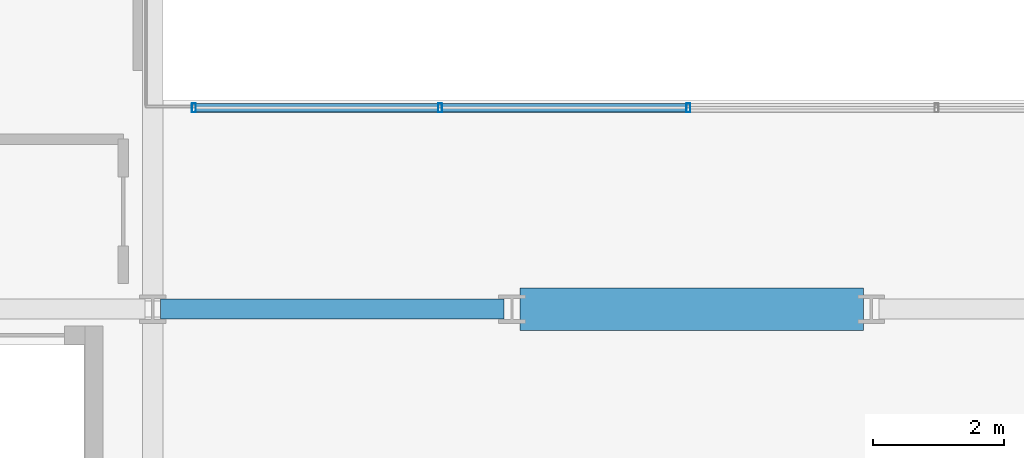
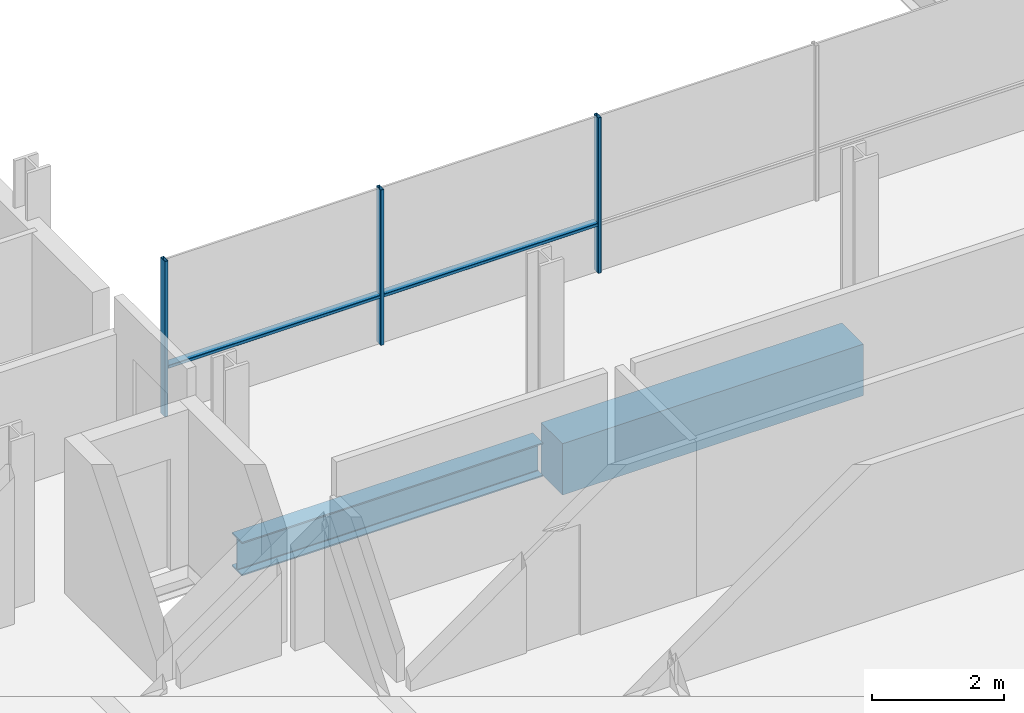
# One storey, part 4 of 38: 5 members, 2 beams, 1 element without a shape of its own.
"""IFC4 building model written with IfcOpenShell, lengths in metres."""

from ifc_helpers import new_model, si_unit, direction, frame, origin, origin_2d, place, context, subcontext, project, spatial, rectangle, hollow_rectangle, i_section, extrude, material, layer, layer_set, material_profile, profile_set, type_object, element, aggregate, save


model = new_model("IFC4")

# Units and contexts
model_context = context("Model", 3, precision=1e-05, world=origin(), true_north=direction((0.0, 1.0)))
body_context = subcontext(model_context, "Body", "Model", "MODEL_VIEW")
ifc_project = project(units=[si_unit("LENGTHUNIT", "METRE"), si_unit("AREAUNIT", "SQUARE_METRE"), si_unit("VOLUMEUNIT", "CUBIC_METRE"), si_unit("PLANEANGLEUNIT", "RADIAN"), si_unit("MASSUNIT", "GRAM", prefix="KILO")], contexts=[model_context])

# Site, building, storey
site_placement = place(None, origin())
site = spatial("IfcSite", under=ifc_project, at=site_placement, CompositionType="ELEMENT")
building_placement = place(site_placement, origin())
building = spatial("IfcBuilding", under=site, at=building_placement, Name="Brevholm Reach", CompositionType="ELEMENT")
storey_placement = place(building_placement, frame((0.0, 0.0, 65.199951171875)))
storey = spatial("IfcBuildingStorey", under=building, at=storey_placement, Name="L18", CompositionType="ELEMENT", Elevation=65.199951171875)

# Beams
ifc_material_1 = material(Name="Concrete C60/75", Category="concrete")
ifc_material_profile_1 = material_profile(ifc_material_1, rectangle(XDim=0.64990234375, YDim=0.949951171875, at=origin_2d()), Name="RC 650x950")
ifc_profile_set_1 = profile_set([ifc_material_profile_1], Name="Concrete C60/75")
beam_type_1 = type_object("IfcBeamType", Name="BM-CB650", PredefinedType="LINTEL", material=ifc_profile_set_1)
beam_1_placement = place(storey_placement, frame((27.3701171875, 10.0, -0.704833984375), z_axis=(1.0, 0.0, 0.0), x_axis=(0.0, 1.0, 0.0)))
element("IfcBeam", 1, at=beam_1_placement, inside=storey, type_object=beam_type_1, Name="L18 CB-01 Framing Beam", PredefinedType="LINTEL", context=body_context, shape_type="SweptSolid", body=[
    extrude(rectangle(XDim=0.64990234375, YDim=0.949951171875, at=origin_2d()), origin(), (0.0, 0.0, 1.0), 5.259765625),
])
ifc_material_2 = material(Name="Structural Steel S355J2", Category="steel")
ifc_material_profile_2 = material_profile(ifc_material_2, i_section(OverallWidth=0.30712890625, OverallDepth=0.6201171875, WebThickness=0.01416015625, FlangeThickness=0.023681640625, FilletRadius=0.0166015625, at=origin_2d()), Name="UKB 610x305x179")
ifc_profile_set_2 = profile_set([ifc_material_profile_2], Name="Structural Steel S355J2")
beam_type_2 = type_object("IfcBeamType", Name="BM-UKB610H", PredefinedType="USERDEFINED", material=ifc_profile_set_2)
beam_2_placement = place(storey_placement, frame((21.8701171875, 10.0, -0.5400390625), z_axis=(1.0, 0.0, 0.0), x_axis=(0.0, 1.0, 0.0)))
element("IfcBeam", 2, at=beam_2_placement, inside=storey, type_object=beam_type_2, Name="L18 G-06 Framing Beam", ObjectType="GIRDER", PredefinedType="USERDEFINED", context=body_context, shape_type="SweptSolid", body=[
    extrude(i_section(OverallWidth=0.30712890625, OverallDepth=0.6201171875, WebThickness=0.01416015625, FlangeThickness=0.023681640625, FilletRadius=0.0166015625, at=origin_2d()), origin(), (0.0, 0.0, 1.0), 5.259765625),
])

# Curtain wall, members
ifc_material_3 = material(Name="Dark Anodised Aluminium 6063-T6 and Solar-Control Glass", Category="aluminium")
ifc_layer = layer(ifc_material_3, 0.139892578125)
ifc_layer_set = layer_set([ifc_layer], Name="Dark Anodised Aluminium 6063-T6 and Solar-Control Glass")
curtain_wall_type = type_object("IfcCurtainWallType", Name="CW-02", PredefinedType="NOTDEFINED", material=ifc_layer_set)
curtain_wall_placement = place(storey_placement, origin())
curtain_wall = element("IfcCurtainWall", 3, at=curtain_wall_placement, inside=storey, type_object=curtain_wall_type, Name="L18 Curtain Wall CW-02", PredefinedType="NOTDEFINED")
ifc_material_4 = material(Name="Dark Anodised Aluminium 6063-T6", Category="aluminium")
ifc_material_profile_3 = material_profile(ifc_material_4, hollow_rectangle(XDim=0.06005859375, YDim=0.139892578125, WallThickness=0.0048828125, InnerFilletRadius=0.0048828125, OuterFilletRadius=0.010009765625, at=origin_2d()), Name="RHS 140x60x5")
ifc_profile_set_3 = profile_set([ifc_material_profile_3], Name="Dark Anodised Aluminium 6063-T6")
member_type_1 = type_object("IfcMemberType", Name="CWM-140", PredefinedType="MULLION", material=ifc_profile_set_3)
member_1_placement = place(storey_placement, frame((22.3798828125, 13.080078125, 0.0), z_axis=(0.0, 0.0, 1.0), x_axis=(1.0, 0.0, 0.0)))
member_1 = element("IfcMember", 4, at=member_1_placement, type_object=member_type_1, Name="CM-140 Mullion 1", PredefinedType="MULLION", context=body_context, shape_type="SweptSolid", body=[
    extrude(hollow_rectangle(XDim=0.06005859375, YDim=0.139892578125, WallThickness=0.0048828125, InnerFilletRadius=0.0048828125, OuterFilletRadius=0.010009765625, at=origin_2d()), origin(), (0.0, 0.0, 1.0), 2.8701171875),
])
member_2_placement = place(storey_placement, frame((26.14990234375, 13.080078125, 0.0), z_axis=(0.0, 0.0, 1.0), x_axis=(1.0, 0.0, 0.0)))
member_2 = element("IfcMember", 5, at=member_2_placement, type_object=member_type_1, Name="CM-140 Mullion 2", PredefinedType="MULLION", context=body_context, shape_type="SweptSolid", body=[
    extrude(hollow_rectangle(XDim=0.06005859375, YDim=0.139892578125, WallThickness=0.0048828125, InnerFilletRadius=0.0048828125, OuterFilletRadius=0.010009765625, at=origin_2d()), origin(), (0.0, 0.0, 1.0), 2.8701171875),
])
member_3_placement = place(storey_placement, frame((29.949951171875, 13.080078125, 0.0), z_axis=(0.0, 0.0, 1.0), x_axis=(1.0, 0.0, 0.0)))
member_3 = element("IfcMember", 6, at=member_3_placement, type_object=member_type_1, Name="CM-140 Mullion 3", PredefinedType="MULLION", context=body_context, shape_type="SweptSolid", body=[
    extrude(hollow_rectangle(XDim=0.06005859375, YDim=0.139892578125, WallThickness=0.0048828125, InnerFilletRadius=0.0048828125, OuterFilletRadius=0.010009765625, at=origin_2d()), origin(), (0.0, 0.0, 1.0), 2.8701171875),
])
ifc_material_5 = material(Name="Dark Anodised Aluminium 6063-T6", Category="aluminium")
ifc_material_profile_4 = material_profile(ifc_material_5, hollow_rectangle(XDim=0.06005859375, YDim=0.139892578125, WallThickness=0.0048828125, InnerFilletRadius=0.0048828125, OuterFilletRadius=0.010009765625, at=origin_2d()), Name="RHS 140x60x5")
ifc_profile_set_4 = profile_set([ifc_material_profile_4], Name="Dark Anodised Aluminium 6063-T6")
member_type_2 = type_object("IfcMemberType", Name="CWT-140", PredefinedType="NOTDEFINED", material=ifc_profile_set_4)
member_4_placement = place(storey_placement, frame((22.409912109375, 13.080078125, 0.900146484375), z_axis=(1.0, 0.0, 0.0), x_axis=(0.0, 0.0, 1.0)))
member_4 = element("IfcMember", 7, at=member_4_placement, type_object=member_type_2, Name="CT-140 Transom 1.1", ObjectType="TRANSOM", PredefinedType="USERDEFINED", context=body_context, shape_type="SweptSolid", body=[
    extrude(hollow_rectangle(XDim=0.06005859375, YDim=0.139892578125, WallThickness=0.0048828125, InnerFilletRadius=0.0048828125, OuterFilletRadius=0.010009765625, at=origin_2d()), origin(), (0.0, 0.0, 1.0), 3.710205078125),
])
member_5_placement = place(storey_placement, frame((26.179931640625, 13.080078125, 0.900146484375), z_axis=(1.0, 0.0, 0.0), x_axis=(0.0, 0.0, 1.0)))
member_5 = element("IfcMember", 8, at=member_5_placement, type_object=member_type_2, Name="CT-140 Transom 2.1", ObjectType="TRANSOM", PredefinedType="USERDEFINED", context=body_context, shape_type="SweptSolid", body=[
    extrude(hollow_rectangle(XDim=0.06005859375, YDim=0.139892578125, WallThickness=0.0048828125, InnerFilletRadius=0.0048828125, OuterFilletRadius=0.010009765625, at=origin_2d()), origin(), (0.0, 0.0, 1.0), 3.739990234375),
])
aggregate(curtain_wall, [member_1, member_2, member_3, member_4, member_5])

save(model, "model.ifc")
